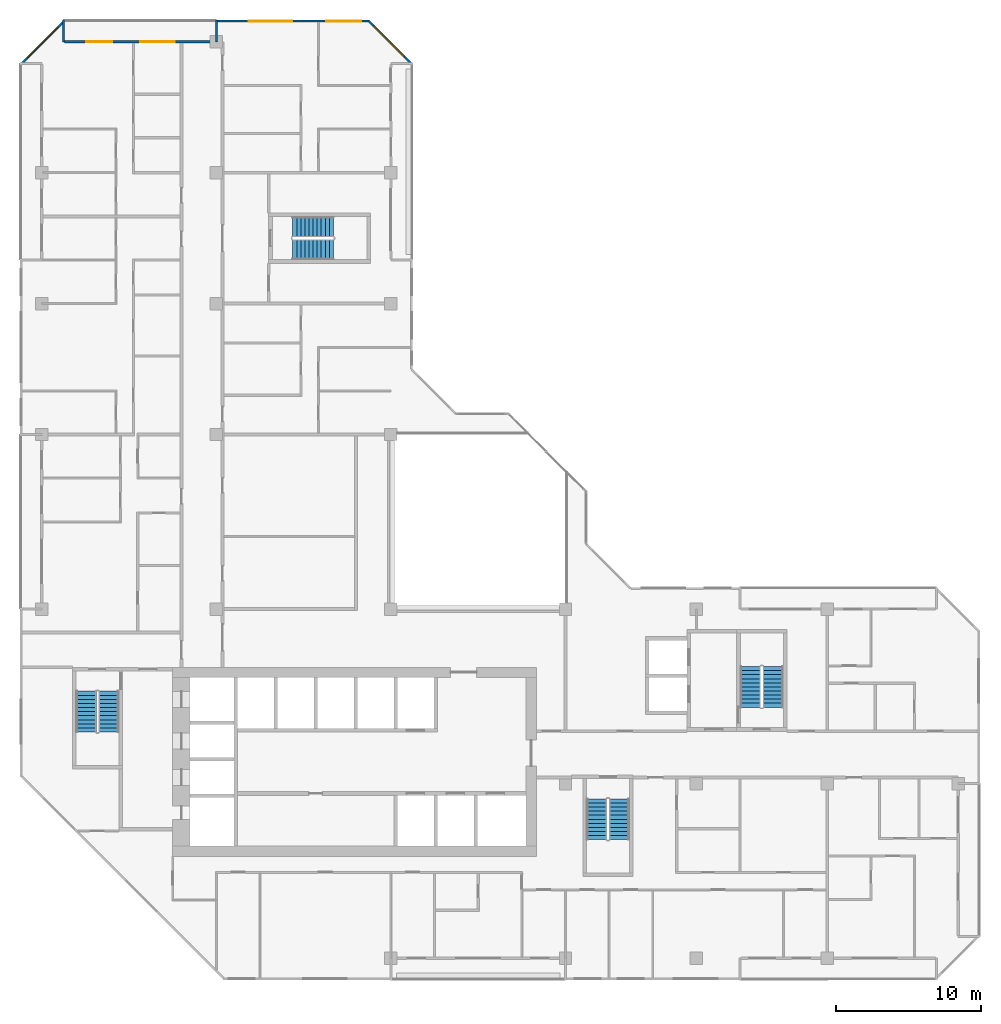
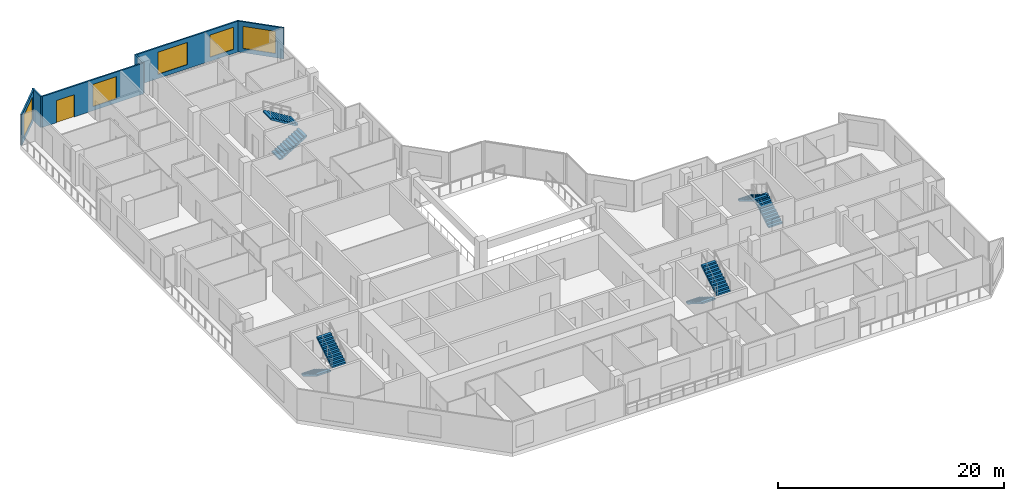
# One storey, part 12 of 14: 8 stair flights, 6 walls, 5 windows, 1 door, 6 openings, 4 elements without a shape of their own.
"""IFC4 building model written with IfcOpenShell, lengths in metres."""

from ifc_helpers import new_model, si_unit, direction, frame, frame_2d, origin, place, context, subcontext, project, spatial, polyline, rectangle, outline, extrude, material, layer, layer_set, type_object, element, fill, aggregate, save


model = new_model("IFC4")

# Units and contexts
model_context = context("Model", 3, precision=1e-05, world=origin(), true_north=direction((0.0, 1.0)))
body_context = subcontext(model_context, "Body", "Model", "MODEL_VIEW")
ifc_project = project(units=[si_unit("LENGTHUNIT", "METRE"), si_unit("AREAUNIT", "SQUARE_METRE"), si_unit("VOLUMEUNIT", "CUBIC_METRE"), si_unit("PLANEANGLEUNIT", "RADIAN"), si_unit("MASSUNIT", "GRAM", prefix="KILO")], contexts=[model_context])

# Site, building, storey
site_placement = place(None, origin())
site = spatial("IfcSite", under=ifc_project, at=site_placement, CompositionType="ELEMENT")
building_placement = place(site_placement, origin())
building = spatial("IfcBuilding", under=site, at=building_placement, Name="Chenar Terraces", CompositionType="ELEMENT")
storey_placement = place(building_placement, frame((0.0, 0.0, 241.64990234375)))
storey = spatial("IfcBuildingStorey", under=building, at=storey_placement, Name="L57", CompositionType="ELEMENT", Elevation=241.64990234375)

# Wall, openings, windows
ifc_material_1 = material(Name="Aluminium framed glazing", Category="aluminium")
ifc_layer_1 = layer(ifc_material_1, 0.14990234375)
ifc_layer_set_1 = layer_set([ifc_layer_1], Name="Aluminium framed glazing")
wall_type_1 = type_object("IfcWallType", Name="Glazed flush facade wall 150", PredefinedType="SOLIDWALL", material=ifc_layer_set_1)
wall_1_placement = place(storey_placement, frame((22.5, 64.425048828125, 0.0), z_axis=(0.0, 0.0, 1.0), x_axis=(-1.0, 0.0, 0.0)))
wall_1 = element("IfcWall", 1, at=wall_1_placement, inside=storey, type_object=wall_type_1, Name="Glazed flush facade wall", PredefinedType="SOLIDWALL", context=body_context, shape_type="SweptSolid", body=[
    extrude(rectangle(XDim=10.425048828125, YDim=0.14990234375, at=frame_2d((5.21240234375, 0.0))), origin(), (0.0, 0.0, 1.0), 3.35009765625),
])
opening_1_placement = place(wall_1_placement, frame((0.53759765625, 0.0, 0.449951171875)))
opening_1 = element("IfcOpeningElement", 2, at=opening_1_placement, cuts=wall_1, Name="Opening W240x240", PredefinedType="OPENING", context=body_context, shape_type="SweptSolid", body=[
    extrude(rectangle(XDim=2.39990234375, YDim=2.39990234375, at=frame_2d((1.199951171875, 1.199951171875))), frame((0.0, 0.0849609375, 0.0), z_axis=(0.0, -1.0, 0.0), x_axis=(1.0, 0.0, 0.0)), (0.0, 0.0, 1.0), 0.169921875),
])
opening_2_placement = place(wall_1_placement, frame((5.27490234375, 0.0, 0.449951171875)))
opening_2 = element("IfcOpeningElement", 3, at=opening_2_placement, cuts=wall_1, Name="Opening W300x240", PredefinedType="OPENING", context=body_context, shape_type="SweptSolid", body=[
    extrude(rectangle(XDim=3.0, YDim=2.39990234375, at=frame_2d((1.5, 1.199951171875))), frame((0.0, 0.0849609375, 0.0), z_axis=(0.0, -1.0, 0.0), x_axis=(1.0, 0.0, 0.0)), (0.0, 0.0, 1.0), 0.169921875),
])
ifc_material_2 = material(Name="Low emissivity double glazing, aluminium frame", Category="aluminium")
window_type_1 = type_object("IfcWindowType", Name="Fixed light 2400 x 2400", PartitioningType="SINGLE_PANEL", PredefinedType="WINDOW", material=ifc_material_2)
window_1_placement = place(opening_1_placement, origin())
window_1 = element("IfcWindow", 4, at=window_1_placement, inside=storey, type_object=window_type_1, Name="Window", OverallHeight=2.39990234375, OverallWidth=2.39990234375, PartitioningType="SINGLE_PANEL", PredefinedType="WINDOW", context=body_context, shape_type="SweptSolid", body=[
    extrude(rectangle(XDim=2.39990234375, YDim=2.39990234375, at=frame_2d((1.199951171875, 1.199951171875))), frame((0.0, 0.030029296875, 0.0), z_axis=(0.0, -1.0, 0.0), x_axis=(1.0, 0.0, 0.0)), (0.0, 0.0, 1.0), 0.06005859375),
])
fill(opening_1, window_1)
ifc_material_3 = material(Name="Low emissivity double glazing, aluminium frame", Category="aluminium")
window_type_2 = type_object("IfcWindowType", Name="Fixed light 3000 x 2400", PartitioningType="SINGLE_PANEL", PredefinedType="WINDOW", material=ifc_material_3)
window_2_placement = place(opening_2_placement, origin())
window_2 = element("IfcWindow", 5, at=window_2_placement, inside=storey, type_object=window_type_2, Name="Window", OverallHeight=2.39990234375, OverallWidth=3.0, PartitioningType="SINGLE_PANEL", PredefinedType="WINDOW", context=body_context, shape_type="SweptSolid", body=[
    extrude(rectangle(XDim=3.0, YDim=2.39990234375, at=frame_2d((1.5, 1.199951171875))), frame((0.0, 0.030029296875, 0.0), z_axis=(0.0, -1.0, 0.0), x_axis=(1.0, 0.0, 0.0)), (0.0, 0.0, 1.0), 0.06005859375),
])
fill(opening_2, window_2)

# Wall, openings, window, door
ifc_material_4 = material(Name="Aluminium framed glazing", Category="aluminium")
ifc_layer_2 = layer(ifc_material_4, 0.14990234375)
ifc_layer_set_2 = layer_set([ifc_layer_2], Name="Aluminium framed glazing")
wall_type_2 = type_object("IfcWallType", Name="Glazed loggia back wall 150", PredefinedType="SOLIDWALL", material=ifc_layer_set_2)
wall_2_placement = place(storey_placement, frame((11.925048828125, 63.0, 0.0), z_axis=(0.0, 0.0, 1.0), x_axis=(-1.0, 0.0, 0.0)))
wall_2 = element("IfcWall", 6, at=wall_2_placement, inside=storey, type_object=wall_type_2, Name="Glazed loggia back wall", PredefinedType="SOLIDWALL", context=body_context, shape_type="SweptSolid", body=[
    extrude(rectangle(XDim=10.35009765625, YDim=0.14990234375, at=frame_2d((5.175048828125, 0.0))), origin(), (0.0, 0.0, 1.0), 3.35009765625),
])
opening_3_placement = place(wall_2_placement, frame((2.77490234375, 0.0, 0.449951171875)))
opening_3 = element("IfcOpeningElement", 7, at=opening_3_placement, cuts=wall_2, Name="Opening W240x240", PredefinedType="OPENING", context=body_context, shape_type="SweptSolid", body=[
    extrude(rectangle(XDim=2.39990234375, YDim=2.39990234375, at=frame_2d((1.199951171875, 1.199951171875))), frame((0.0, 0.0849609375, 0.0), z_axis=(0.0, -1.0, 0.0), x_axis=(1.0, 0.0, 0.0)), (0.0, 0.0, 1.0), 0.169921875),
])
opening_4_placement = place(wall_2_placement, frame((7.08740234375, 0.0, 0.0)))
opening_4 = element("IfcOpeningElement", 8, at=opening_4_placement, cuts=wall_2, Name="Opening DL57-G3", PredefinedType="OPENING", context=body_context, shape_type="SweptSolid", body=[
    extrude(rectangle(XDim=1.800048828125, YDim=2.39990234375, at=frame_2d((0.89990234375, 1.199951171875))), frame((0.0, 0.0849609375, 0.0), z_axis=(0.0, -1.0, 0.0), x_axis=(1.0, 0.0, 0.0)), (0.0, 0.0, 1.0), 0.169921875),
])
window_3_placement = place(opening_3_placement, origin())
window_3 = element("IfcWindow", 9, at=window_3_placement, inside=storey, type_object=window_type_1, Name="Window", OverallHeight=2.39990234375, OverallWidth=2.39990234375, PartitioningType="SINGLE_PANEL", PredefinedType="WINDOW", context=body_context, shape_type="SweptSolid", body=[
    extrude(rectangle(XDim=2.39990234375, YDim=2.39990234375, at=frame_2d((1.199951171875, 1.199951171875))), frame((0.0, 0.030029296875, 0.0), z_axis=(0.0, -1.0, 0.0), x_axis=(1.0, 0.0, 0.0)), (0.0, 0.0, 1.0), 0.06005859375),
])
fill(opening_3, window_3)
ifc_material_5 = material(Name="Low emissivity double glazing, aluminium frame", Category="aluminium")
door_type = type_object("IfcDoorType", Name="Loggia glazed double door 1800 x 2400", OperationType="DOUBLE_DOOR_SINGLE_SWING", PredefinedType="DOOR", material=ifc_material_5)
door_placement = place(opening_4_placement, frame((1.800048828125, 0.0, 0.0), z_axis=(0.0, 0.0, 1.0), x_axis=(-1.0, 0.0, 0.0)))
door = element("IfcDoor", 10, at=door_placement, inside=storey, type_object=door_type, Name="Loggia glazed door", OperationType="DOUBLE_DOOR_SINGLE_SWING", OverallHeight=2.39990234375, OverallWidth=1.800048828125, PredefinedType="DOOR", context=body_context, shape_type="SweptSolid", body=[
    extrude(rectangle(XDim=1.800048828125, YDim=2.39990234375, at=frame_2d((0.89990234375, 1.199951171875))), frame((0.0, 0.02490234375, 0.0), z_axis=(0.0, -1.0, 0.0), x_axis=(1.0, 0.0, 0.0)), (0.0, 0.0, 1.0), 0.050048828125),
])
fill(opening_4, door)

# Walls
ifc_material_6 = material(Name="Terracotta cladding on insulated backing", Category="masonry")
ifc_layer_3 = layer(ifc_material_6, 0.14990234375)
ifc_layer_set_3 = layer_set([ifc_layer_3], Name="Terracotta cladding on insulated backing")
wall_type_3 = type_object("IfcWallType", Name="Loggia return wall 150", PredefinedType="SOLIDWALL", material=ifc_layer_set_3)
for number, where, z_axis, x_axis, name in (
    (11, (12.0, 64.5, 0.0), (0.0, 0.0, 1.0), (0.0, -1.0, 0.0), "Loggia return wall"),
    (12, (1.5, 64.5, 0.0), (0.0, 0.0, 1.0), (0.0, -1.0, 0.0), "Loggia return wall"),
):
    element("IfcWall", number, at=place(storey_placement, frame(where, z_axis=z_axis, x_axis=x_axis)), inside=storey, type_object=wall_type_3, Name=name, PredefinedType="SOLIDWALL", context=body_context, shape_type="SweptSolid", body=[
        extrude(rectangle(XDim=1.5, YDim=0.14990234375, at=frame_2d((0.75, 0.0))), origin(), (0.0, 0.0, 1.0), 3.35009765625),
    ])

# Wall, opening, window
ifc_material_7 = material(Name="Terracotta cladding on insulated backing", Category="masonry")
ifc_layer_4 = layer(ifc_material_7, 0.14990234375)
ifc_layer_set_4 = layer_set([ifc_layer_4], Name="Terracotta cladding on insulated backing")
wall_type_4 = type_object("IfcWallType", Name="Terracotta rainscreen wall 150", PredefinedType="SOLIDWALL", material=ifc_layer_set_4)
wall_3_placement = place(storey_placement, frame((25.447021484375, 61.447021484375, 0.0), z_axis=(0.0, 0.0, 1.0), x_axis=(-0.707106781187, 0.707106781187, 0.0)))
wall_3 = element("IfcWall", 13, at=wall_3_placement, inside=storey, type_object=wall_type_4, Name="Terracotta rainscreen wall", PredefinedType="SOLIDWALL", context=body_context, shape_type="SweptSolid", body=[
    extrude(rectangle(XDim=4.24267578125, YDim=0.14990234375, at=frame_2d((2.121337890625, 0.0))), origin(), (0.0, 0.0, 1.0), 3.35009765625),
])
opening_5_placement = place(wall_3_placement, frame((0.744384765625, 0.0, 0.449951171875)))
opening_5 = element("IfcOpeningElement", 14, at=opening_5_placement, cuts=wall_3, Name="Opening W300x240", PredefinedType="OPENING", context=body_context, shape_type="SweptSolid", body=[
    extrude(rectangle(XDim=3.0, YDim=2.39990234375, at=frame_2d((1.5, 1.199951171875))), frame((0.0, 0.0849609375, 0.0), z_axis=(0.0, -1.0, 0.0), x_axis=(1.0, 0.0, 0.0)), (0.0, 0.0, 1.0), 0.169921875),
])
window_4_placement = place(opening_5_placement, origin())
window_4 = element("IfcWindow", 15, at=window_4_placement, inside=storey, type_object=window_type_2, Name="Window", OverallHeight=2.39990234375, OverallWidth=3.0, PartitioningType="SINGLE_PANEL", PredefinedType="WINDOW", context=body_context, shape_type="SweptSolid", body=[
    extrude(rectangle(XDim=3.0, YDim=2.39990234375, at=frame_2d((1.5, 1.199951171875))), frame((0.0, 0.030029296875, 0.0), z_axis=(0.0, -1.0, 0.0), x_axis=(1.0, 0.0, 0.0)), (0.0, 0.0, 1.0), 0.06005859375),
])
fill(opening_5, window_4)

wall_4_placement = place(storey_placement, frame((1.552978515625, 64.447021484375, 0.0), z_axis=(0.0, 0.0, 1.0), x_axis=(-0.707106781187, -0.707106781187, 0.0)))
wall_4 = element("IfcWall", 16, at=wall_4_placement, inside=storey, type_object=wall_type_4, Name="Terracotta rainscreen wall", PredefinedType="SOLIDWALL", context=body_context, shape_type="SweptSolid", body=[
    extrude(rectangle(XDim=4.24267578125, YDim=0.14990234375, at=frame_2d((2.121337890625, 0.0))), origin(), (0.0, 0.0, 1.0), 3.35009765625),
])
opening_6_placement = place(wall_4_placement, frame((0.621337890625, 0.0, 0.449951171875)))
opening_6 = element("IfcOpeningElement", 17, at=opening_6_placement, cuts=wall_4, Name="Opening W300x240", PredefinedType="OPENING", context=body_context, shape_type="SweptSolid", body=[
    extrude(rectangle(XDim=3.0, YDim=2.39990234375, at=frame_2d((1.5, 1.199951171875))), frame((0.0, 0.0849609375, 0.0), z_axis=(0.0, -1.0, 0.0), x_axis=(1.0, 0.0, 0.0)), (0.0, 0.0, 1.0), 0.169921875),
])
window_5_placement = place(opening_6_placement, origin())
window_5 = element("IfcWindow", 18, at=window_5_placement, inside=storey, type_object=window_type_2, Name="Window", OverallHeight=2.39990234375, OverallWidth=3.0, PartitioningType="SINGLE_PANEL", PredefinedType="WINDOW", context=body_context, shape_type="SweptSolid", body=[
    extrude(rectangle(XDim=3.0, YDim=2.39990234375, at=frame_2d((1.5, 1.199951171875))), frame((0.0, 0.030029296875, 0.0), z_axis=(0.0, -1.0, 0.0), x_axis=(1.0, 0.0, 0.0)), (0.0, 0.0, 1.0), 0.06005859375),
])
fill(opening_6, window_5)

# Stair, stair flights
ifc_material_8 = material(Name="Reinforced concrete C40/50", Category="concrete")
stair_type = type_object("IfcStairType", Name="Core stair 1400 half-turn", PredefinedType="HALF_TURN_STAIR", material=ifc_material_8)
placement = place(storey_placement, origin())
stair_1 = element("IfcStair", 19, at=placement, inside=storey, type_object=stair_type, Name="L57 Stair 1", PredefinedType="HALF_TURN_STAIR")
ifc_material_9 = material(Name="Reinforced concrete C40/50", Category="concrete")
stair_flight_type = type_object("IfcStairFlightType", Name="Core stair flight 1400", PredefinedType="STRAIGHT", material=ifc_material_9)
stair_flight_1_placement = place(storey_placement, frame((3.050048828125, 18.35009765625, 0.0), z_axis=(0.0, 0.0, 1.0), x_axis=(0.0, -1.0, 0.0)))
stair_flight_1 = element("IfcStairFlight", 20, at=stair_flight_1_placement, type_object=stair_flight_type, Name="ST1 flight 1", NumberOfRisers=11, NumberOfTreads=10, PredefinedType="STRAIGHT", RiserHeight=0.170454545, TreadLength=0.28, context=body_context, shape_type="SweptSolid", body=[
    extrude(outline(polyline([(-0.0029296875, 0.0), (-0.0029296875, 0.17041015625), (0.0, 0.17041015625), (0.280029296875, 0.17041015625), (0.280029296875, 0.3408203125), (0.56005859375, 0.3408203125), (0.56005859375, 0.511474609375), (0.840087890625, 0.511474609375), (0.840087890625, 0.681884765625), (1.1201171875, 0.681884765625), (1.1201171875, 0.852294921875), (1.39990234375, 0.852294921875), (1.39990234375, 1.022705078125), (1.679931640625, 1.022705078125), (1.679931640625, 1.193115234375), (1.9599609375, 1.193115234375), (1.9599609375, 1.363525390625), (2.239990234375, 1.363525390625), (2.239990234375, 1.5341796875), (2.52001953125, 1.5341796875), (2.52001953125, 1.70458984375), (2.800048828125, 1.70458984375), (2.802978515625, 1.70458984375), (2.802978515625, 1.529052734375), (2.800048828125, 1.529052734375), (0.288330078125, 0.0), (-0.0029296875, 0.0)])), frame((0.0, 0.699951171875, 0.0), z_axis=(0.0, -1.0, 0.0), x_axis=(1.0, 0.0, 0.0)), (0.0, 0.0, 1.0), 1.39990234375),
])
stair_flight_2_placement = place(storey_placement, frame((4.60009765625, 15.550048828125, 1.875), z_axis=(0.0, 0.0, 1.0), x_axis=(0.0, 1.0, 0.0)))
stair_flight_2 = element("IfcStairFlight", 21, at=stair_flight_2_placement, type_object=stair_flight_type, Name="ST1 flight 2", NumberOfRisers=11, NumberOfTreads=10, PredefinedType="STRAIGHT", RiserHeight=0.170454545, TreadLength=0.28, context=body_context, shape_type="SweptSolid", body=[
    extrude(outline(polyline([(-0.0029296875, 0.0), (-0.0029296875, 0.17041015625), (0.0, 0.17041015625), (0.280029296875, 0.17041015625), (0.280029296875, 0.3408203125), (0.56005859375, 0.3408203125), (0.56005859375, 0.511474609375), (0.840087890625, 0.511474609375), (0.840087890625, 0.681884765625), (1.1201171875, 0.681884765625), (1.1201171875, 0.852294921875), (1.39990234375, 0.852294921875), (1.39990234375, 1.022705078125), (1.679931640625, 1.022705078125), (1.679931640625, 1.193115234375), (1.9599609375, 1.193115234375), (1.9599609375, 1.363525390625), (2.239990234375, 1.363525390625), (2.239990234375, 1.5341796875), (2.52001953125, 1.5341796875), (2.52001953125, 1.70458984375), (2.800048828125, 1.70458984375), (2.802978515625, 1.70458984375), (2.802978515625, 1.529052734375), (2.800048828125, 1.529052734375), (0.288330078125, 0.0), (-0.0029296875, 0.0)])), frame((0.0, 0.699951171875, 0.0), z_axis=(0.0, -1.0, 0.0), x_axis=(1.0, 0.0, 0.0)), (0.0, 0.0, 1.0), 1.39990234375),
])
aggregate(stair_1, [stair_flight_1, stair_flight_2])

stair_2 = element("IfcStair", 22, at=placement, inside=storey, type_object=stair_type, Name="L57 Stair 2", PredefinedType="HALF_TURN_STAIR")
stair_flight_3_placement = place(storey_placement, frame((38.14990234375, 10.949951171875, 0.0), z_axis=(0.0, 0.0, 1.0), x_axis=(0.0, -1.0, 0.0)))
stair_flight_3 = element("IfcStairFlight", 23, at=stair_flight_3_placement, type_object=stair_flight_type, Name="ST2 flight 1", NumberOfRisers=11, NumberOfTreads=10, PredefinedType="STRAIGHT", RiserHeight=0.170454545, TreadLength=0.28, context=body_context, shape_type="SweptSolid", body=[
    extrude(outline(polyline([(-0.0029296875, 0.0), (-0.0029296875, 0.17041015625), (0.0, 0.17041015625), (0.280029296875, 0.17041015625), (0.280029296875, 0.3408203125), (0.56005859375, 0.3408203125), (0.56005859375, 0.511474609375), (0.840087890625, 0.511474609375), (0.840087890625, 0.681884765625), (1.1201171875, 0.681884765625), (1.1201171875, 0.852294921875), (1.39990234375, 0.852294921875), (1.39990234375, 1.022705078125), (1.679931640625, 1.022705078125), (1.679931640625, 1.193115234375), (1.9599609375, 1.193115234375), (1.9599609375, 1.363525390625), (2.239990234375, 1.363525390625), (2.239990234375, 1.5341796875), (2.52001953125, 1.5341796875), (2.52001953125, 1.70458984375), (2.800048828125, 1.70458984375), (2.802978515625, 1.70458984375), (2.802978515625, 1.529052734375), (2.800048828125, 1.529052734375), (0.288330078125, 0.0), (-0.0029296875, 0.0)])), frame((0.0, 0.699951171875, 0.0), z_axis=(0.0, -1.0, 0.0), x_axis=(1.0, 0.0, 0.0)), (0.0, 0.0, 1.0), 1.39990234375),
])
stair_flight_4_placement = place(storey_placement, frame((39.699951171875, 8.14990234375, 1.875), z_axis=(0.0, 0.0, 1.0), x_axis=(0.0, 1.0, 0.0)))
stair_flight_4 = element("IfcStairFlight", 24, at=stair_flight_4_placement, type_object=stair_flight_type, Name="ST2 flight 2", NumberOfRisers=11, NumberOfTreads=10, PredefinedType="STRAIGHT", RiserHeight=0.170454545, TreadLength=0.28, context=body_context, shape_type="SweptSolid", body=[
    extrude(outline(polyline([(-0.0029296875, 0.0), (-0.0029296875, 0.17041015625), (0.0, 0.17041015625), (0.280029296875, 0.17041015625), (0.280029296875, 0.3408203125), (0.56005859375, 0.3408203125), (0.56005859375, 0.511474609375), (0.840087890625, 0.511474609375), (0.840087890625, 0.681884765625), (1.1201171875, 0.681884765625), (1.1201171875, 0.852294921875), (1.39990234375, 0.852294921875), (1.39990234375, 1.022705078125), (1.679931640625, 1.022705078125), (1.679931640625, 1.193115234375), (1.9599609375, 1.193115234375), (1.9599609375, 1.363525390625), (2.239990234375, 1.363525390625), (2.239990234375, 1.5341796875), (2.52001953125, 1.5341796875), (2.52001953125, 1.70458984375), (2.800048828125, 1.70458984375), (2.802978515625, 1.70458984375), (2.802978515625, 1.529052734375), (2.800048828125, 1.529052734375), (0.288330078125, 0.0), (-0.0029296875, 0.0)])), frame((0.0, 0.699951171875, 0.0), z_axis=(0.0, -1.0, 0.0), x_axis=(1.0, 0.0, 0.0)), (0.0, 0.0, 1.0), 1.39990234375),
])
aggregate(stair_2, [stair_flight_3, stair_flight_4])

stair_3 = element("IfcStair", 25, at=placement, inside=storey, type_object=stair_type, Name="L57 Stair 3", PredefinedType="HALF_TURN_STAIR")
stair_flight_5_placement = place(storey_placement, frame((50.27490234375, 17.25, 0.0), z_axis=(0.0, 0.0, 1.0), x_axis=(0.0, 1.0, 0.0)))
stair_flight_5 = element("IfcStairFlight", 26, at=stair_flight_5_placement, type_object=stair_flight_type, Name="ST3 flight 1", NumberOfRisers=11, NumberOfTreads=10, PredefinedType="STRAIGHT", RiserHeight=0.170454545, TreadLength=0.28, context=body_context, shape_type="SweptSolid", body=[
    extrude(outline(polyline([(-0.0029296875, 0.0), (-0.0029296875, 0.17041015625), (0.0, 0.17041015625), (0.280029296875, 0.17041015625), (0.280029296875, 0.3408203125), (0.56005859375, 0.3408203125), (0.56005859375, 0.511474609375), (0.840087890625, 0.511474609375), (0.840087890625, 0.681884765625), (1.1201171875, 0.681884765625), (1.1201171875, 0.852294921875), (1.39990234375, 0.852294921875), (1.39990234375, 1.022705078125), (1.679931640625, 1.022705078125), (1.679931640625, 1.193115234375), (1.9599609375, 1.193115234375), (1.9599609375, 1.363525390625), (2.239990234375, 1.363525390625), (2.239990234375, 1.5341796875), (2.52001953125, 1.5341796875), (2.52001953125, 1.70458984375), (2.800048828125, 1.70458984375), (2.802978515625, 1.70458984375), (2.802978515625, 1.529052734375), (2.800048828125, 1.529052734375), (0.288330078125, 0.0), (-0.0029296875, 0.0)])), frame((0.0, 0.699951171875, 0.0), z_axis=(0.0, -1.0, 0.0), x_axis=(1.0, 0.0, 0.0)), (0.0, 0.0, 1.0), 1.39990234375),
])
stair_flight_6_placement = place(storey_placement, frame((48.72509765625, 20.050048828125, 1.875), z_axis=(0.0, 0.0, 1.0), x_axis=(0.0, -1.0, 0.0)))
stair_flight_6 = element("IfcStairFlight", 27, at=stair_flight_6_placement, type_object=stair_flight_type, Name="ST3 flight 2", NumberOfRisers=11, NumberOfTreads=10, PredefinedType="STRAIGHT", RiserHeight=0.170454545, TreadLength=0.28, context=body_context, shape_type="SweptSolid", body=[
    extrude(outline(polyline([(-0.0029296875, 0.0), (-0.0029296875, 0.17041015625), (0.0, 0.17041015625), (0.280029296875, 0.17041015625), (0.280029296875, 0.3408203125), (0.56005859375, 0.3408203125), (0.56005859375, 0.511474609375), (0.840087890625, 0.511474609375), (0.840087890625, 0.681884765625), (1.1201171875, 0.681884765625), (1.1201171875, 0.852294921875), (1.39990234375, 0.852294921875), (1.39990234375, 1.022705078125), (1.679931640625, 1.022705078125), (1.679931640625, 1.193115234375), (1.9599609375, 1.193115234375), (1.9599609375, 1.363525390625), (2.239990234375, 1.363525390625), (2.239990234375, 1.5341796875), (2.52001953125, 1.5341796875), (2.52001953125, 1.70458984375), (2.800048828125, 1.70458984375), (2.802978515625, 1.70458984375), (2.802978515625, 1.529052734375), (2.800048828125, 1.529052734375), (0.288330078125, 0.0), (-0.0029296875, 0.0)])), frame((0.0, 0.699951171875, 0.0), z_axis=(0.0, -1.0, 0.0), x_axis=(1.0, 0.0, 0.0)), (0.0, 0.0, 1.0), 1.39990234375),
])
aggregate(stair_3, [stair_flight_5, stair_flight_6])

stair_4 = element("IfcStair", 28, at=placement, inside=storey, type_object=stair_type, Name="L57 Stair 4", PredefinedType="HALF_TURN_STAIR")
stair_flight_7_placement = place(storey_placement, frame((17.25, 48.72509765625, 0.0), z_axis=(0.0, 0.0, 1.0), x_axis=(1.0, 0.0, 0.0)))
stair_flight_7 = element("IfcStairFlight", 29, at=stair_flight_7_placement, type_object=stair_flight_type, Name="ST4 flight 1", NumberOfRisers=11, NumberOfTreads=10, PredefinedType="STRAIGHT", RiserHeight=0.170454545, TreadLength=0.28, context=body_context, shape_type="SweptSolid", body=[
    extrude(outline(polyline([(-0.0029296875, 0.0), (-0.0029296875, 0.17041015625), (0.0, 0.17041015625), (0.280029296875, 0.17041015625), (0.280029296875, 0.3408203125), (0.56005859375, 0.3408203125), (0.56005859375, 0.511474609375), (0.840087890625, 0.511474609375), (0.840087890625, 0.681884765625), (1.1201171875, 0.681884765625), (1.1201171875, 0.852294921875), (1.39990234375, 0.852294921875), (1.39990234375, 1.022705078125), (1.679931640625, 1.022705078125), (1.679931640625, 1.193115234375), (1.9599609375, 1.193115234375), (1.9599609375, 1.363525390625), (2.239990234375, 1.363525390625), (2.239990234375, 1.5341796875), (2.52001953125, 1.5341796875), (2.52001953125, 1.70458984375), (2.800048828125, 1.70458984375), (2.802978515625, 1.70458984375), (2.802978515625, 1.529052734375), (2.800048828125, 1.529052734375), (0.288330078125, 0.0), (-0.0029296875, 0.0)])), frame((0.0, 0.699951171875, 0.0), z_axis=(0.0, -1.0, 0.0), x_axis=(1.0, 0.0, 0.0)), (0.0, 0.0, 1.0), 1.39990234375),
])
stair_flight_8_placement = place(storey_placement, frame((20.050048828125, 50.27490234375, 1.875), z_axis=(0.0, 0.0, 1.0), x_axis=(-1.0, 0.0, 0.0)))
stair_flight_8 = element("IfcStairFlight", 30, at=stair_flight_8_placement, type_object=stair_flight_type, Name="ST4 flight 2", NumberOfRisers=11, NumberOfTreads=10, PredefinedType="STRAIGHT", RiserHeight=0.170454545, TreadLength=0.28, context=body_context, shape_type="SweptSolid", body=[
    extrude(outline(polyline([(-0.0029296875, 0.0), (-0.0029296875, 0.17041015625), (0.0, 0.17041015625), (0.280029296875, 0.17041015625), (0.280029296875, 0.3408203125), (0.56005859375, 0.3408203125), (0.56005859375, 0.511474609375), (0.840087890625, 0.511474609375), (0.840087890625, 0.681884765625), (1.1201171875, 0.681884765625), (1.1201171875, 0.852294921875), (1.39990234375, 0.852294921875), (1.39990234375, 1.022705078125), (1.679931640625, 1.022705078125), (1.679931640625, 1.193115234375), (1.9599609375, 1.193115234375), (1.9599609375, 1.363525390625), (2.239990234375, 1.363525390625), (2.239990234375, 1.5341796875), (2.52001953125, 1.5341796875), (2.52001953125, 1.70458984375), (2.800048828125, 1.70458984375), (2.802978515625, 1.70458984375), (2.802978515625, 1.529052734375), (2.800048828125, 1.529052734375), (0.288330078125, 0.0), (-0.0029296875, 0.0)])), frame((0.0, 0.699951171875, 0.0), z_axis=(0.0, -1.0, 0.0), x_axis=(1.0, 0.0, 0.0)), (0.0, 0.0, 1.0), 1.39990234375),
])
aggregate(stair_4, [stair_flight_7, stair_flight_8])

save(model, "model.ifc")
